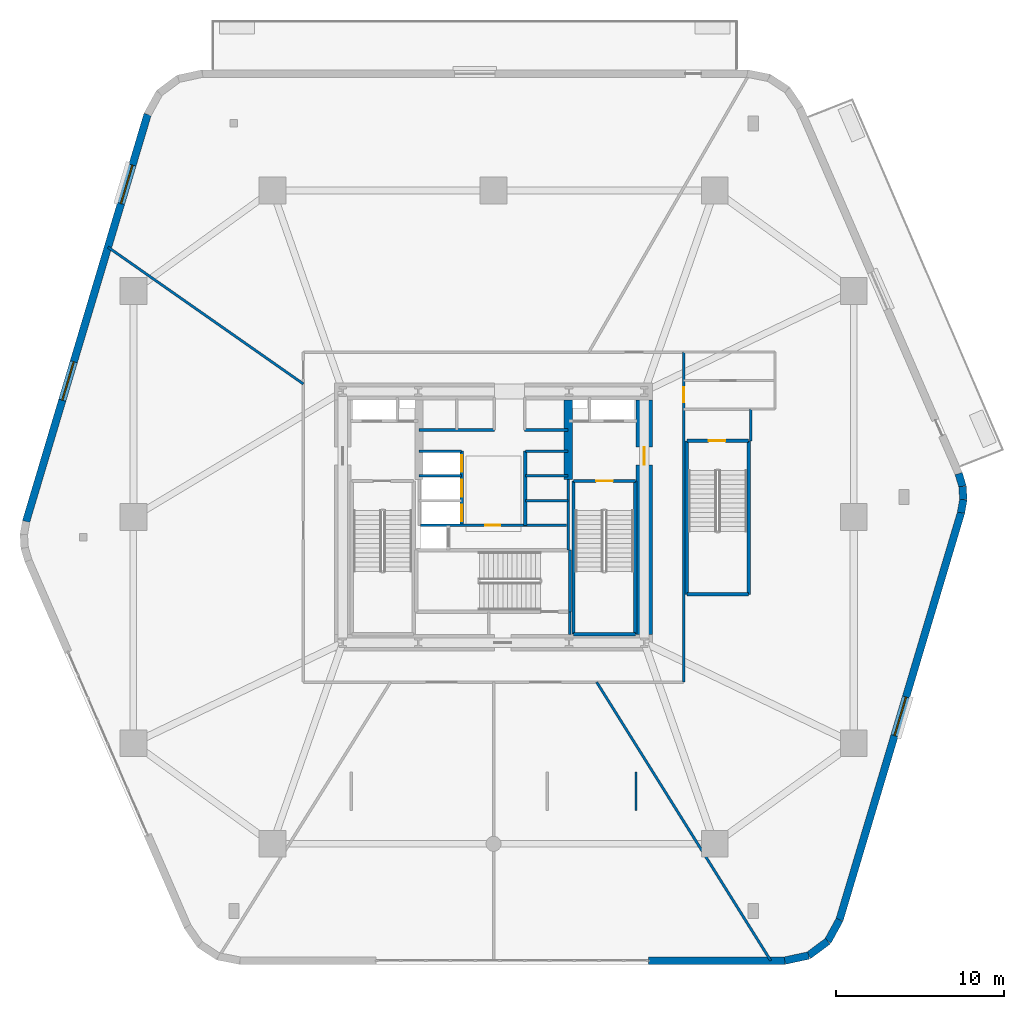
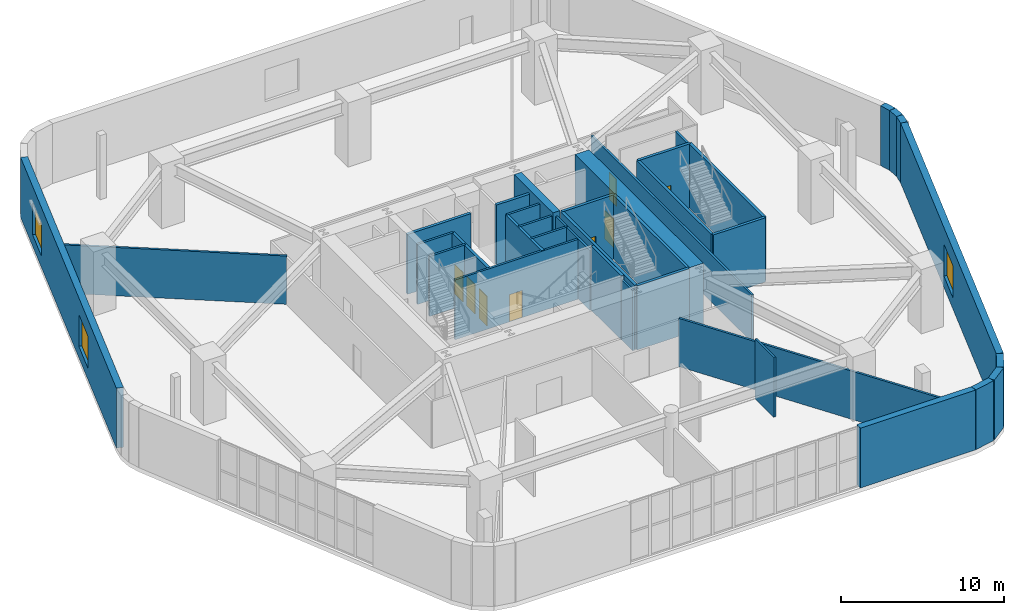
# One storey, part 12 of 17: 37 walls, 8 doors, 3 windows, 11 openings.
"""IFC4 building model written with IfcOpenShell, lengths in metres."""

from ifc_helpers import new_model, si_unit, direction, frame, frame_2d, origin, place, context, subcontext, project, spatial, rectangle, extrude, material, layer, layer_set, type_object, element, fill, save


model = new_model("IFC4")

# Units and contexts
model_context = context("Model", 3, precision=1e-05, world=origin(), true_north=direction((0.0, 1.0)))
body_context = subcontext(model_context, "Body", "Model", "MODEL_VIEW")
ifc_project = project(units=[si_unit("LENGTHUNIT", "METRE"), si_unit("AREAUNIT", "SQUARE_METRE"), si_unit("VOLUMEUNIT", "CUBIC_METRE"), si_unit("PLANEANGLEUNIT", "RADIAN"), si_unit("MASSUNIT", "GRAM", prefix="KILO")], contexts=[model_context])

# Site, building, storey
site_placement = place(None, origin())
site = spatial("IfcSite", under=ifc_project, at=site_placement, CompositionType="ELEMENT")
building_placement = place(site_placement, origin())
building = spatial("IfcBuilding", under=site, at=building_placement, Name="Kilnhurst Terrace Hotel", CompositionType="ELEMENT")
storey_placement = place(building_placement, frame((0.0, 0.0, 18.60009765625)))
storey = spatial("IfcBuildingStorey", under=building, at=storey_placement, Name="L03", CompositionType="ELEMENT", Elevation=18.60009765625)

# Walls
ifc_material_1 = material(Name="Precast concrete C40/50", Category="concrete")
ifc_layer_1 = layer(ifc_material_1, 0.449951171875, Name="Precast concrete C40/50")
ifc_layer_set_1 = layer_set([ifc_layer_1], Name="Precast concrete C40/50")
wall_type_1 = type_object("IfcWallType", Name="WL-BRK-450", PredefinedType="SOLIDWALL", material=ifc_layer_set_1)
wall_1_placement = place(storey_placement, frame((17.385986328125, -26.47509765625, 0.0), z_axis=(0.0, 0.0, 1.0), x_axis=(0.977277895208, 0.211962061551, 0.0)))
element("IfcWall", 1, at=wall_1_placement, inside=storey, type_object=wall_type_1, Name="L03 Rounded Corner Brick Wall C2.1", PredefinedType="SOLIDWALL", context=body_context, shape_type="SweptSolid", body=[
    extrude(rectangle(XDim=1.452392578125, YDim=0.449951171875, at=frame_2d((0.72607421875, 0.0))), origin(), (0.0, 0.0, 1.0), 4.47998046875),
])
wall_2_placement = place(storey_placement, frame((18.805419921875, -26.167236328125, 0.0), z_axis=(0.0, 0.0, 1.0), x_axis=(0.801863548993, 0.597507195603, 0.0)))
element("IfcWall", 2, at=wall_2_placement, inside=storey, type_object=wall_type_1, Name="L03 Rounded Corner Brick Wall C2.2", PredefinedType="SOLIDWALL", context=body_context, shape_type="SweptSolid", body=[
    extrude(rectangle(XDim=1.427734375, YDim=0.449951171875, at=frame_2d((0.7138671875, 0.0))), origin(), (0.0, 0.0, 1.0), 4.47998046875),
])
wall_3_placement = place(storey_placement, frame((19.9501953125, -25.314208984375, 0.0), z_axis=(0.0, 0.0, 1.0), x_axis=(0.482499474814, 0.875896259157, 0.0)))
element("IfcWall", 3, at=wall_3_placement, inside=storey, type_object=wall_type_1, Name="L03 Rounded Corner Brick Wall C2.3", PredefinedType="SOLIDWALL", context=body_context, shape_type="SweptSolid", body=[
    extrude(rectangle(XDim=1.4521484375, YDim=0.449951171875, at=frame_2d((0.72607421875, 0.0))), origin(), (0.0, 0.0, 1.0), 4.47998046875),
])
wall_4_placement = place(storey_placement, frame((27.904541015625, 0.260498046875, 0.0), z_axis=(0.0, 0.0, 1.0), x_axis=(0.17266943956, 0.984979829561, 0.0)))
element("IfcWall", 4, at=wall_4_placement, inside=storey, type_object=wall_type_1, Name="L03 Rounded Corner Brick Wall C3.1", PredefinedType="SOLIDWALL", context=body_context, shape_type="SweptSolid", body=[
    extrude(rectangle(XDim=0.798828125, YDim=0.449951171875, at=frame_2d((0.3994140625, 0.0))), origin(), (0.0, 0.0, 1.0), 4.47998046875),
])
wall_5_placement = place(storey_placement, frame((28.04248046875, 1.04736328125, 0.0), z_axis=(0.0, 0.0, 1.0), x_axis=(-0.059960394052, 0.998200756935, 0.0)))
element("IfcWall", 5, at=wall_5_placement, inside=storey, type_object=wall_type_1, Name="L03 Rounded Corner Brick Wall C3.2", PredefinedType="SOLIDWALL", context=body_context, shape_type="SweptSolid", body=[
    extrude(rectangle(XDim=0.785888671875, YDim=0.449951171875, at=frame_2d((0.39306640625, 0.0))), origin(), (0.0, 0.0, 1.0), 4.47998046875),
])
wall_6_placement = place(storey_placement, frame((27.995361328125, 1.831787109375, 0.0), z_axis=(0.0, 0.0, 1.0), x_axis=(-0.2894220622, 0.957201582694, 0.0)))
element("IfcWall", 6, at=wall_6_placement, inside=storey, type_object=wall_type_1, Name="L03 Rounded Corner Brick Wall C3.3", PredefinedType="SOLIDWALL", context=body_context, shape_type="SweptSolid", body=[
    extrude(rectangle(XDim=0.798828125, YDim=0.449951171875, at=frame_2d((0.3994140625, 0.0))), origin(), (0.0, 0.0, 1.0), 4.47998046875),
])
wall_7_placement = place(storey_placement, frame((9.25341796875, -26.47509765625, 0.0), z_axis=(0.0, 0.0, 1.0), x_axis=(1.0, 0.0, 0.0)))
element("IfcWall", 7, at=wall_7_placement, inside=storey, type_object=wall_type_1, Name="L03 Face 1 End Brick Pier", PredefinedType="SOLIDWALL", context=body_context, shape_type="SweptSolid", body=[
    extrude(rectangle(XDim=8.132568359375, YDim=0.449951171875, at=frame_2d((4.06640625, 0.0))), origin(), (0.0, 0.0, 1.0), 4.47998046875),
])

# Wall, opening, window
wall_8_placement = place(storey_placement, frame((20.65087890625, -24.042236328125, 0.0), z_axis=(0.0, 0.0, 1.0), x_axis=(0.286003469805, 0.958228581947, 0.0)))
wall_8 = element("IfcWall", 8, at=wall_8_placement, inside=storey, type_object=wall_type_1, Name="L03 Exterior Brick Facade Wall F2", PredefinedType="SOLIDWALL", context=body_context, shape_type="SweptSolid", body=[
    extrude(rectangle(XDim=25.362060546875, YDim=0.449951171875, at=frame_2d((12.68115234375, 0.0))), origin(), (0.0, 0.0, 1.0), 4.47998046875),
])
opening_1_placement = place(wall_8_placement, frame((11.48095703125, 0.0, 0.85009765625)))
opening_1 = element("IfcOpeningElement", 9, at=opening_1_placement, cuts=wall_8, Name="Opening W-07", PredefinedType="OPENING", context=body_context, shape_type="SweptSolid", body=[
    extrude(rectangle(XDim=2.39990234375, YDim=2.39990234375, at=frame_2d((1.199951171875, 1.199951171875))), frame((0.0, 0.23486328125, 0.0), z_axis=(0.0, -1.0, 0.0), x_axis=(1.0, 0.0, 0.0)), (0.0, 0.0, 1.0), 0.469970703125),
])
ifc_material_2 = material(Name="Thermally Broken Bronze Aluminium Alloy 6063-T6 and Low-E Glass", Category="aluminium")
window_type = type_object("IfcWindowType", Name="WIN-2400X2400", PartitioningType="SINGLE_PANEL", PredefinedType="WINDOW", material=ifc_material_2)
window_1_placement = place(opening_1_placement, origin())
window_1 = element("IfcWindow", 10, at=window_1_placement, inside=storey, type_object=window_type, Name="L03 Deep-Set Masonry Window F2.1", OverallHeight=2.39990234375, OverallWidth=2.39990234375, PartitioningType="SINGLE_PANEL", PredefinedType="WINDOW", context=body_context, shape_type="SweptSolid", body=[
    extrude(rectangle(XDim=2.39990234375, YDim=2.39990234375, at=frame_2d((1.199951171875, 1.199951171875))), frame((0.0, 0.030029296875, 0.0), z_axis=(0.0, -1.0, 0.0), x_axis=(1.0, 0.0, 0.0)), (0.0, 0.0, 1.0), 0.06005859375),
])
fill(opening_1, window_1)

# Wall, openings, windows
wall_9_placement = place(storey_placement, frame((-20.65087890625, 24.042236328125, 0.0), z_axis=(0.0, 0.0, 1.0), x_axis=(-0.286003469805, -0.958228581947, 0.0)))
wall_9 = element("IfcWall", 11, at=wall_9_placement, inside=storey, type_object=wall_type_1, Name="L03 Exterior Brick Facade Wall F5", PredefinedType="SOLIDWALL", context=body_context, shape_type="SweptSolid", body=[
    extrude(rectangle(XDim=25.362060546875, YDim=0.449951171875, at=frame_2d((12.68115234375, 0.0))), origin(), (0.0, 0.0, 1.0), 4.47998046875),
])
opening_2_placement = place(wall_9_placement, frame((3.156982421875, 0.0, 0.85009765625)))
opening_2 = element("IfcOpeningElement", 12, at=opening_2_placement, cuts=wall_9, Name="Opening W-07", PredefinedType="OPENING", context=body_context, shape_type="SweptSolid", body=[
    extrude(rectangle(XDim=2.39990234375, YDim=2.39990234375, at=frame_2d((1.199951171875, 1.199951171875))), frame((0.0, 0.23486328125, 0.0), z_axis=(0.0, -1.0, 0.0), x_axis=(1.0, 0.0, 0.0)), (0.0, 0.0, 1.0), 0.469970703125),
])
opening_3_placement = place(wall_9_placement, frame((15.406982421875, 0.0, 0.85009765625)))
opening_3 = element("IfcOpeningElement", 13, at=opening_3_placement, cuts=wall_9, Name="Opening W-07", PredefinedType="OPENING", context=body_context, shape_type="SweptSolid", body=[
    extrude(rectangle(XDim=2.39990234375, YDim=2.39990234375, at=frame_2d((1.199951171875, 1.199951171875))), frame((0.0, 0.23486328125, 0.0), z_axis=(0.0, -1.0, 0.0), x_axis=(1.0, 0.0, 0.0)), (0.0, 0.0, 1.0), 0.469970703125),
])
window_2_placement = place(opening_2_placement, origin())
window_2 = element("IfcWindow", 14, at=window_2_placement, inside=storey, type_object=window_type, Name="L03 Deep-Set Masonry Window F5.1", OverallHeight=2.39990234375, OverallWidth=2.39990234375, PartitioningType="SINGLE_PANEL", PredefinedType="WINDOW", context=body_context, shape_type="SweptSolid", body=[
    extrude(rectangle(XDim=2.39990234375, YDim=2.39990234375, at=frame_2d((1.199951171875, 1.199951171875))), frame((0.0, 0.030029296875, 0.0), z_axis=(0.0, -1.0, 0.0), x_axis=(1.0, 0.0, 0.0)), (0.0, 0.0, 1.0), 0.06005859375),
])
fill(opening_2, window_2)
window_3_placement = place(opening_3_placement, origin())
window_3 = element("IfcWindow", 15, at=window_3_placement, inside=storey, type_object=window_type, Name="L03 Deep-Set Masonry Window F5.2", OverallHeight=2.39990234375, OverallWidth=2.39990234375, PartitioningType="SINGLE_PANEL", PredefinedType="WINDOW", context=body_context, shape_type="SweptSolid", body=[
    extrude(rectangle(XDim=2.39990234375, YDim=2.39990234375, at=frame_2d((1.199951171875, 1.199951171875))), frame((0.0, 0.030029296875, 0.0), z_axis=(0.0, -1.0, 0.0), x_axis=(1.0, 0.0, 0.0)), (0.0, 0.0, 1.0), 0.06005859375),
])
fill(opening_3, window_3)

# Wall, opening, door
ifc_material_3 = material(Name="Acoustic Double-Gypsum Corridor Partition Assembly")
ifc_layer_2 = layer(ifc_material_3, 0.14990234375, Name="Acoustic Double-Gypsum Corridor Partition Assembly")
ifc_layer_set_2 = layer_set([ifc_layer_2], Name="Acoustic Double-Gypsum Corridor Partition Assembly")
wall_type_2 = type_object("IfcWallType", Name="WL-COR-150", PredefinedType="PARTITIONING", material=ifc_layer_set_2)
wall_10_placement = place(storey_placement, frame((11.35009765625, 9.85009765625, 0.0), z_axis=(0.0, 0.0, 1.0), x_axis=(0.0, -1.0, 0.0)))
wall_10 = element("IfcWall", 16, at=wall_10_placement, inside=storey, type_object=wall_type_2, Name="L03 Interior Wall WL-L03-COR-03", PredefinedType="PARTITIONING", context=body_context, shape_type="SweptSolid", body=[
    extrude(rectangle(XDim=19.7001953125, YDim=0.14990234375, at=frame_2d((9.85009765625, 0.0))), origin(), (0.0, 0.0, 1.0), 3.521728515625),
])
opening_4_placement = place(wall_10_placement, frame((2.10009765625, 0.0, 0.0)))
opening_4 = element("IfcOpeningElement", 17, at=opening_4_placement, cuts=wall_10, Name="Opening D-09B", PredefinedType="OPENING", context=body_context, shape_type="SweptSolid", body=[
    extrude(rectangle(XDim=0.89990234375, YDim=2.030029296875, at=frame_2d((0.449951171875, 1.01513671875))), frame((0.0, 0.0849609375, 0.0), z_axis=(0.0, -1.0, 0.0), x_axis=(1.0, 0.0, 0.0)), (0.0, 0.0, 1.0), 0.169921875),
])
ifc_material_4 = material(Name="Moisture-Resistant Solid-Core Restroom Door")
door_type_1 = type_object("IfcDoorType", Name="DR-INT-900", OperationType="NOTDEFINED", PredefinedType="DOOR", material=ifc_material_4)
door_1_placement = place(opening_4_placement, origin())
door_1 = element("IfcDoor", 18, at=door_1_placement, inside=storey, type_object=door_type_1, Name="L03 Public Restrooms Door", OperationType="SINGLE_SWING_LEFT", OverallHeight=2.030029296875, OverallWidth=0.89990234375, PredefinedType="DOOR", context=body_context, shape_type="SweptSolid", body=[
    extrude(rectangle(XDim=0.89990234375, YDim=2.030029296875, at=frame_2d((0.449951171875, 1.01513671875))), frame((0.0, 0.02490234375, 0.0), z_axis=(0.0, -1.0, 0.0), x_axis=(1.0, 0.0, 0.0)), (0.0, 0.0, 1.0), 0.050048828125),
])
fill(opening_4, door_1)

# Wall
wall_11_placement = place(storey_placement, frame((15.35009765625, 4.55810546875, 0.0), z_axis=(0.0, 0.0, 1.0), x_axis=(0.0, 1.0, 0.0)))
element("IfcWall", 19, at=wall_11_placement, inside=storey, type_object=wall_type_2, Name="L03 Interior Wall WL-L03-ST4-VEST-E", PredefinedType="PARTITIONING", context=body_context, shape_type="SweptSolid", body=[
    extrude(rectangle(XDim=1.891845703125, YDim=0.14990234375, at=frame_2d((0.94580078125, 0.0))), origin(), (0.0, 0.0, 1.0), 4.47998046875),
])

# Wall, opening, door
ifc_material_5 = material(Name="Concrete C80/95", Category="concrete")
ifc_layer_3 = layer(ifc_material_5, 1.0, Name="Concrete C80/95")
ifc_layer_set_3 = layer_set([ifc_layer_3], Name="Concrete C80/95")
wall_type_3 = type_object("IfcWallType", Name="WL-CORE-1000", PredefinedType="SHEAR", material=ifc_layer_set_3)
wall_12_placement = place(storey_placement, frame((9.0, -7.0, 0.0), z_axis=(0.0, 0.0, 1.0), x_axis=(0.0, 1.0, 0.0)))
wall_12 = element("IfcWall", 20, at=wall_12_placement, inside=storey, type_object=wall_type_3, Name="L03 Core East Shear Wall", PredefinedType="SHEAR", context=body_context, shape_type="SweptSolid", body=[
    extrude(rectangle(XDim=14.0, YDim=1.0, at=frame_2d((7.0, 0.0))), origin(), (0.0, 0.0, 1.0), 4.7998046875),
])
opening_5_placement = place(wall_12_placement, frame((10.125, 0.0, 0.0)))
opening_5 = element("IfcOpeningElement", 21, at=opening_5_placement, cuts=wall_12, Name="Opening D-90A", PredefinedType="OPENING", context=body_context, shape_type="SweptSolid", body=[
    extrude(rectangle(XDim=1.050048828125, YDim=2.14990234375, at=frame_2d((0.52490234375, 1.074951171875))), frame((0.0, 0.510009765625, 0.0), z_axis=(0.0, -1.0, 0.0), x_axis=(1.0, 0.0, 0.0)), (0.0, 0.0, 1.0), 1.02001953125),
])
ifc_material_6 = material(Name="Painted Hollow Metal Steel ASTM A36 Fire Door", Category="steel")
door_type_2 = type_object("IfcDoorType", Name="DR-FD90-1050", OperationType="NOTDEFINED", PredefinedType="DOOR", material=ifc_material_6)
door_2_placement = place(opening_5_placement, origin())
door_2 = element("IfcDoor", 22, at=door_2_placement, inside=storey, type_object=door_type_2, Name="L03 East Firefighting Lobby Door", OperationType="SINGLE_SWING_LEFT", OverallHeight=2.14990234375, OverallWidth=1.050048828125, PredefinedType="DOOR", context=body_context, shape_type="SweptSolid", body=[
    extrude(rectangle(XDim=1.050048828125, YDim=2.14990234375, at=frame_2d((0.52490234375, 1.074951171875))), frame((0.0, 0.02490234375, 0.0), z_axis=(0.0, -1.0, 0.0), x_axis=(1.0, 0.0, 0.0)), (0.0, 0.0, 1.0), 0.050048828125),
])
fill(opening_5, door_2)

# Walls
ifc_material_7 = material(Name="Concrete C60/75", Category="concrete")
ifc_layer_4 = layer(ifc_material_7, 0.5, Name="Concrete C60/75")
ifc_layer_set_4 = layer_set([ifc_layer_4], Name="Concrete C60/75")
wall_type_4 = type_object("IfcWallType", Name="WL-CORE-WEB-500", PredefinedType="SHEAR", material=ifc_layer_set_4)
wall_13_placement = place(storey_placement, frame((4.449951171875, 2.25, 0.0), z_axis=(0.0, 0.0, 1.0), x_axis=(0.0, 1.0, 0.0)))
element("IfcWall", 23, at=wall_13_placement, inside=storey, type_object=wall_type_4, Name="L03 Core Internal East Shear Web", PredefinedType="SHEAR", context=body_context, shape_type="SweptSolid", body=[
    extrude(rectangle(XDim=4.75, YDim=0.5, at=frame_2d((2.375, 0.0))), origin(), (0.0, 0.0, 1.0), 4.7998046875),
])
ifc_material_8 = material(Name="STC-54 Top-Hung Acoustic Operable Ballroom Folding Wall")
ifc_layer_5 = layer(ifc_material_8, 0.139892578125, Name="STC-54 Top-Hung Acoustic Operable Ballroom Folding Wall")
ifc_layer_set_5 = layer_set([ifc_layer_5], Name="STC-54 Top-Hung Acoustic Operable Ballroom Folding Wall")
wall_type_5 = type_object("IfcWallType", Name="WL-MOV-140", PredefinedType="MOVABLE", material=ifc_layer_set_5)
wall_14_placement = place(storey_placement, frame((8.5, -17.5, 0.0), z_axis=(0.0, 0.0, 1.0), x_axis=(0.0, 1.0, 0.0)))
element("IfcWall", 24, at=wall_14_placement, inside=storey, type_object=wall_type_5, Name="L03 Operable Acoustic Ballroom Partition 3", PredefinedType="MOVABLE", context=body_context, shape_type="SweptSolid", body=[
    extrude(rectangle(XDim=2.300048828125, YDim=0.139892578125, at=frame_2d((1.14990234375, 0.0))), origin(), (0.0, 0.0, 1.0), 4.47998046875),
])
ifc_material_9 = material(Name="150 mm Acoustic Gypsum Hospitality Partition")
ifc_layer_6 = layer(ifc_material_9, 0.14990234375, Name="150 mm Acoustic Gypsum Hospitality Partition")
ifc_layer_set_6 = layer_set([ifc_layer_6], Name="150 mm Acoustic Gypsum Hospitality Partition")
wall_type_6 = type_object("IfcWallType", Name="WL-PART-150", PredefinedType="PARTITIONING", material=ifc_layer_set_6)
wall_15_placement = place(storey_placement, frame((6.155029296875, -9.85009765625, 0.0), z_axis=(0.0, 0.0, 1.0), x_axis=(0.529918338238, -0.848048674782, 0.0)))
element("IfcWall", 25, at=wall_15_placement, inside=storey, type_object=wall_type_6, Name="L03 Interior Wall WL-L03-PDIV-3-1", PredefinedType="PARTITIONING", context=body_context, shape_type="SweptSolid", body=[
    extrude(rectangle(XDim=19.603759765625, YDim=0.14990234375, at=frame_2d((9.8017578125, 0.0))), origin(), (0.0, 0.0, 1.0), 3.612060546875),
])
wall_16_placement = place(storey_placement, frame((-11.35009765625, 7.947509765625, 0.0), z_axis=(0.0, 0.0, 1.0), x_axis=(-0.819152990014, 0.573575085713, 0.0)))
element("IfcWall", 26, at=wall_16_placement, inside=storey, type_object=wall_type_6, Name="L03 Interior Wall WL-L03-PDIV-5-1", PredefinedType="PARTITIONING", context=body_context, shape_type="SweptSolid", body=[
    extrude(rectangle(XDim=14.2421875, YDim=0.14990234375, at=frame_2d((7.12109375, 0.0))), origin(), (0.0, 0.0, 1.0), 3.614013671875),
])
ifc_material_10 = material(Name="Fire-Rated Gypsum Shaftliner Assembly")
ifc_layer_7 = layer(ifc_material_10, 0.14990234375, Name="Fire-Rated Gypsum Shaftliner Assembly")
ifc_layer_set_7 = layer_set([ifc_layer_7], Name="Fire-Rated Gypsum Shaftliner Assembly")
wall_type_7 = type_object("IfcWallType", Name="WL-SHAFT-150", PredefinedType="PARTITIONING", material=ifc_layer_set_7)
wall_17_placement = place(storey_placement, frame((4.55810546875, -7.02001953125, 0.0), z_axis=(0.0, 0.0, 1.0), x_axis=(0.0, 1.0, 0.0)))
element("IfcWall", 27, at=wall_17_placement, inside=storey, type_object=wall_type_7, Name="L03 Interior Wall WL-L03-ST3-PSGE", PredefinedType="PARTITIONING", context=body_context, shape_type="SweptSolid", body=[
    extrude(rectangle(XDim=1.362060546875, YDim=0.14990234375, at=frame_2d((0.68115234375, 0.0))), origin(), (0.0, 0.0, 1.0), 4.47998046875),
])
wall_18_placement = place(storey_placement, frame((4.449951171875, -1.971923828125, 0.0), z_axis=(0.0, 0.0, 1.0), x_axis=(0.0, 1.0, 0.0)))
element("IfcWall", 28, at=wall_18_placement, inside=storey, type_object=wall_type_7, Name="L03 Interior Wall WL-L03-XLOB-E", PredefinedType="PARTITIONING", context=body_context, shape_type="SweptSolid", body=[
    extrude(rectangle(XDim=4.221923828125, YDim=0.14990234375, at=frame_2d((2.11083984375, 0.0))), origin(), (0.0, 0.0, 1.0), 4.47998046875),
])
for number, where, z_axis, x_axis, name in (
    (29, (-4.449951171875, 3.93994140625, 0.0), (0.0, 0.0, 1.0), (1.0, 0.0, 0.0), "L03 Interior Wall WL-L03-LR-NORTH"),
    (30, (-4.449951171875, 2.4599609375, 0.0), (0.0, 0.0, 1.0), (1.0, 0.0, 0.0), "L03 Interior Wall WL-L03-LR-D2"),
    (31, (1.89990234375, 3.93994140625, 0.0), (0.0, 0.0, 1.0), (1.0, 0.0, 0.0), "L03 Interior Wall WL-L03-MR-NORTH"),
    (32, (1.89990234375, 0.97998046875, 0.0), (0.0, 0.0, 1.0), (1.0, 0.0, 0.0), "L03 Interior Wall WL-L03-MR-D1"),
    (33, (1.89990234375, 2.4599609375, 0.0), (0.0, 0.0, 1.0), (1.0, 0.0, 0.0), "L03 Interior Wall WL-L03-MR-D2"),
):
    element("IfcWall", number, at=place(storey_placement, frame(where, z_axis=z_axis, x_axis=x_axis)), inside=storey, type_object=wall_type_7, Name=name, PredefinedType="PARTITIONING", context=body_context, shape_type="SweptSolid", body=[
        extrude(rectangle(XDim=2.550048828125, YDim=0.14990234375, at=frame_2d((1.27490234375, 0.0))), origin(), (0.0, 0.0, 1.0), 4.47998046875),
    ])

# Wall, opening, door
wall_19_placement = place(storey_placement, frame((-4.360107421875, -0.489990234375, 0.0), z_axis=(0.0, 0.0, 1.0), x_axis=(1.0, 0.0, 0.0)))
wall_19 = element("IfcWall", 34, at=wall_19_placement, inside=storey, type_object=wall_type_7, Name="L03 Interior Wall WL-L03-BOH-N", PredefinedType="PARTITIONING", context=body_context, shape_type="SweptSolid", body=[
    extrude(rectangle(XDim=8.72021484375, YDim=0.14990234375, at=frame_2d((4.360107421875, 0.0))), origin(), (0.0, 0.0, 1.0), 4.47998046875),
])
opening_6_placement = place(wall_19_placement, frame((3.860107421875, 0.0, 0.0)))
opening_6 = element("IfcOpeningElement", 35, at=opening_6_placement, cuts=wall_19, Name="Opening D-60C", PredefinedType="OPENING", context=body_context, shape_type="SweptSolid", body=[
    extrude(rectangle(XDim=0.89990234375, YDim=2.030029296875, at=frame_2d((0.449951171875, 1.01513671875))), frame((0.0, 0.0849609375, 0.0), z_axis=(0.0, -1.0, 0.0), x_axis=(1.0, 0.0, 0.0)), (0.0, 0.0, 1.0), 0.169921875),
])
ifc_material_11 = material(Name="Painted Solid-Core Service Fire Door")
door_type_3 = type_object("IfcDoorType", Name="DR-FD60-900", OperationType="NOTDEFINED", PredefinedType="DOOR", material=ifc_material_11)
door_3_placement = place(opening_6_placement, origin())
door_3 = element("IfcDoor", 36, at=door_3_placement, inside=storey, type_object=door_type_3, Name="L03 Housekeeping Laundry Door", OperationType="SINGLE_SWING_LEFT", OverallHeight=2.030029296875, OverallWidth=0.89990234375, PredefinedType="DOOR", context=body_context, shape_type="SweptSolid", body=[
    extrude(rectangle(XDim=0.89990234375, YDim=2.030029296875, at=frame_2d((0.449951171875, 1.01513671875))), frame((0.0, 0.02490234375, 0.0), z_axis=(0.0, -1.0, 0.0), x_axis=(1.0, 0.0, 0.0)), (0.0, 0.0, 1.0), 0.050048828125),
])
fill(opening_6, door_3)

# Walls
ifc_material_12 = material(Name="Autoclaved Aerated Concrete C30/37 and Gypsum Shaft Assembly", Category="concrete")
ifc_layer_8 = layer(ifc_material_12, 0.199951171875, Name="Autoclaved Aerated Concrete C30/37 and Gypsum Shaft Assembly")
ifc_layer_set_8 = layer_set([ifc_layer_8], Name="Autoclaved Aerated Concrete C30/37 and Gypsum Shaft Assembly")
wall_type_8 = type_object("IfcWallType", Name="WL-SHAFT-200", PredefinedType="PARTITIONING", material=ifc_layer_set_8)
wall_20_placement = place(storey_placement, frame((-4.449951171875, 5.199951171875, 0.0), z_axis=(0.0, 0.0, 1.0), x_axis=(1.0, 0.0, 0.0)))
element("IfcWall", 37, at=wall_20_placement, inside=storey, type_object=wall_type_8, Name="L03 Interior Wall WL-L03-HR-SW", PredefinedType="PARTITIONING", context=body_context, shape_type="SweptSolid", body=[
    extrude(rectangle(XDim=4.5, YDim=0.199951171875, at=frame_2d((2.25, 0.0))), origin(), (0.0, 0.0, 1.0), 4.47998046875),
])
wall_21_placement = place(storey_placement, frame((1.85009765625, 5.199951171875, 0.0), z_axis=(0.0, 0.0, 1.0), x_axis=(1.0, 0.0, 0.0)))
element("IfcWall", 38, at=wall_21_placement, inside=storey, type_object=wall_type_8, Name="L03 Interior Wall WL-L03-HR-SE", PredefinedType="PARTITIONING", context=body_context, shape_type="SweptSolid", body=[
    extrude(rectangle(XDim=2.599853515625, YDim=0.199951171875, at=frame_2d((1.2998046875, 0.0))), origin(), (0.0, 0.0, 1.0), 4.47998046875),
])

# Wall, openings, doors
wall_22_placement = place(storey_placement, frame((-1.89990234375, -0.5, 0.0), z_axis=(0.0, 0.0, 1.0), x_axis=(0.0, 1.0, 0.0)))
wall_22 = element("IfcWall", 39, at=wall_22_placement, inside=storey, type_object=wall_type_8, Name="L03 Interior Wall WL-L03-LR-FRONT", PredefinedType="PARTITIONING", context=body_context, shape_type="SweptSolid", body=[
    extrude(rectangle(XDim=4.43994140625, YDim=0.199951171875, at=frame_2d((2.219970703125, 0.0))), origin(), (0.0, 0.0, 1.0), 4.47998046875),
])
opening_7_placement = place(wall_22_placement, frame((0.239990234375, 0.0, 0.0)))
opening_7 = element("IfcOpeningElement", 40, at=opening_7_placement, cuts=wall_22, Name="Opening LD-LR", PredefinedType="OPENING", context=body_context, shape_type="SweptSolid", body=[
    extrude(rectangle(XDim=1.0, YDim=2.199951171875, at=frame_2d((0.5, 1.10009765625))), frame((0.0, 0.10986328125, 0.0), z_axis=(0.0, -1.0, 0.0), x_axis=(1.0, 0.0, 0.0)), (0.0, 0.0, 1.0), 0.219970703125),
])
opening_8_placement = place(wall_22_placement, frame((1.719970703125, 0.0, 0.0)))
opening_8 = element("IfcOpeningElement", 41, at=opening_8_placement, cuts=wall_22, Name="Opening LD-LR", PredefinedType="OPENING", context=body_context, shape_type="SweptSolid", body=[
    extrude(rectangle(XDim=1.0, YDim=2.199951171875, at=frame_2d((0.5, 1.10009765625))), frame((0.0, 0.10986328125, 0.0), z_axis=(0.0, -1.0, 0.0), x_axis=(1.0, 0.0, 0.0)), (0.0, 0.0, 1.0), 0.219970703125),
])
opening_9_placement = place(wall_22_placement, frame((3.199951171875, 0.0, 0.0)))
opening_9 = element("IfcOpeningElement", 42, at=opening_9_placement, cuts=wall_22, Name="Opening LD-LR", PredefinedType="OPENING", context=body_context, shape_type="SweptSolid", body=[
    extrude(rectangle(XDim=1.0, YDim=2.199951171875, at=frame_2d((0.5, 1.10009765625))), frame((0.0, 0.10986328125, 0.0), z_axis=(0.0, -1.0, 0.0), x_axis=(1.0, 0.0, 0.0)), (0.0, 0.0, 1.0), 0.219970703125),
])
ifc_material_13 = material(Name="Bronze-Anodized Stainless Steel AISI 316L Sliding Door", Category="steel")
door_type_4 = type_object("IfcDoorType", Name="DR-LIFT-1000", OperationType="NOTDEFINED", PredefinedType="DOOR", material=ifc_material_13)
door_4_placement = place(opening_7_placement, origin())
door_4 = element("IfcDoor", 43, at=door_4_placement, inside=storey, type_object=door_type_4, Name="L03 Low Rise Lift LR-1 Landing Door", OperationType="SLIDING_TO_LEFT", OverallHeight=2.199951171875, OverallWidth=1.0, PredefinedType="DOOR", context=body_context, shape_type="SweptSolid", body=[
    extrude(rectangle(XDim=1.0, YDim=2.199951171875, at=frame_2d((0.5, 1.10009765625))), frame((0.0, 0.02490234375, 0.0), z_axis=(0.0, -1.0, 0.0), x_axis=(1.0, 0.0, 0.0)), (0.0, 0.0, 1.0), 0.050048828125),
])
fill(opening_7, door_4)
door_5_placement = place(opening_8_placement, origin())
door_5 = element("IfcDoor", 44, at=door_5_placement, inside=storey, type_object=door_type_4, Name="L03 Low Rise Lift LR-2 Landing Door", OperationType="SLIDING_TO_LEFT", OverallHeight=2.199951171875, OverallWidth=1.0, PredefinedType="DOOR", context=body_context, shape_type="SweptSolid", body=[
    extrude(rectangle(XDim=1.0, YDim=2.199951171875, at=frame_2d((0.5, 1.10009765625))), frame((0.0, 0.02490234375, 0.0), z_axis=(0.0, -1.0, 0.0), x_axis=(1.0, 0.0, 0.0)), (0.0, 0.0, 1.0), 0.050048828125),
])
fill(opening_8, door_5)
door_6_placement = place(opening_9_placement, origin())
door_6 = element("IfcDoor", 45, at=door_6_placement, inside=storey, type_object=door_type_4, Name="L03 Low Rise Lift LR-3 Landing Door", OperationType="SLIDING_TO_LEFT", OverallHeight=2.199951171875, OverallWidth=1.0, PredefinedType="DOOR", context=body_context, shape_type="SweptSolid", body=[
    extrude(rectangle(XDim=1.0, YDim=2.199951171875, at=frame_2d((0.5, 1.10009765625))), frame((0.0, 0.02490234375, 0.0), z_axis=(0.0, -1.0, 0.0), x_axis=(1.0, 0.0, 0.0)), (0.0, 0.0, 1.0), 0.050048828125),
])
fill(opening_9, door_6)

# Walls
wall_23_placement = place(storey_placement, frame((1.89990234375, -0.5, 0.0), z_axis=(0.0, 0.0, 1.0), x_axis=(0.0, 1.0, 0.0)))
element("IfcWall", 46, at=wall_23_placement, inside=storey, type_object=wall_type_8, Name="L03 Interior Wall WL-L03-MR-FRONT", PredefinedType="PARTITIONING", context=body_context, shape_type="SweptSolid", body=[
    extrude(rectangle(XDim=4.43994140625, YDim=0.199951171875, at=frame_2d((2.219970703125, 0.0))), origin(), (0.0, 0.0, 1.0), 4.47998046875),
])
ifc_material_14 = material(Name="Concrete C50/60", Category="concrete")
ifc_layer_9 = layer(ifc_material_14, 0.199951171875, Name="Concrete C50/60")
ifc_layer_set_9 = layer_set([ifc_layer_9], Name="Concrete C50/60")
wall_type_9 = type_object("IfcWallType", Name="WL-STAIR-RC-200", PredefinedType="SHEAR", material=ifc_layer_set_9)
for number, where, z_axis, x_axis, name in (
    (47, (4.77197265625, -6.985107421875, 0.0), (0.0, 0.0, 1.0), (0.0, 1.0, 0.0), "L03 Structural Stair Shaft Wall WL-L03-ST2-W"),
    (48, (8.4580078125, -6.985107421875, 0.0), (0.0, 0.0, 1.0), (0.0, 1.0, 0.0), "L03 Structural Stair Shaft Wall WL-L03-ST2-E"),
):
    element("IfcWall", number, at=place(storey_placement, frame(where, z_axis=z_axis, x_axis=x_axis)), inside=storey, type_object=wall_type_9, Name=name, PredefinedType="SHEAR", context=body_context, shape_type="SweptSolid", body=[
        extrude(rectangle(XDim=9.14306640625, YDim=0.199951171875, at=frame_2d((4.571533203125, 0.0))), origin(), (0.0, 0.0, 1.0), 4.7998046875),
    ])
wall_24_placement = place(storey_placement, frame((4.77197265625, -6.985107421875, 0.0), z_axis=(0.0, 0.0, 1.0), x_axis=(1.0, 0.0, 0.0)))
element("IfcWall", 49, at=wall_24_placement, inside=storey, type_object=wall_type_9, Name="L03 Structural Stair Shaft Wall WL-L03-ST2-S", PredefinedType="SHEAR", context=body_context, shape_type="SweptSolid", body=[
    extrude(rectangle(XDim=3.68603515625, YDim=0.199951171875, at=frame_2d((1.843017578125, 0.0))), origin(), (0.0, 0.0, 1.0), 4.7998046875),
])

# Wall, opening, door
wall_25_placement = place(storey_placement, frame((4.77197265625, 2.157958984375, 0.0), z_axis=(0.0, 0.0, 1.0), x_axis=(1.0, 0.0, 0.0)))
wall_25 = element("IfcWall", 50, at=wall_25_placement, inside=storey, type_object=wall_type_9, Name="L03 Structural Stair Shaft Wall WL-L03-ST2-N", PredefinedType="SHEAR", context=body_context, shape_type="SweptSolid", body=[
    extrude(rectangle(XDim=3.68603515625, YDim=0.199951171875, at=frame_2d((1.843017578125, 0.0))), origin(), (0.0, 0.0, 1.0), 4.7998046875),
])
opening_10_placement = place(wall_25_placement, frame((1.35009765625, 0.0, 0.0)))
opening_10 = element("IfcOpeningElement", 51, at=opening_10_placement, cuts=wall_25, Name="Opening D-90B", PredefinedType="OPENING", context=body_context, shape_type="SweptSolid", body=[
    extrude(rectangle(XDim=1.0, YDim=2.14990234375, at=frame_2d((0.5, 1.074951171875))), frame((0.0, 0.10986328125, 0.0), z_axis=(0.0, -1.0, 0.0), x_axis=(1.0, 0.0, 0.0)), (0.0, 0.0, 1.0), 0.219970703125),
])
door_type_5 = type_object("IfcDoorType", Name="DR-FD90-1000", OperationType="NOTDEFINED", PredefinedType="DOOR", material=ifc_material_6)
door_7_placement = place(opening_10_placement, origin())
door_7 = element("IfcDoor", 52, at=door_7_placement, inside=storey, type_object=door_type_5, Name="L03 Stair ST-2 Door", OperationType="SINGLE_SWING_RIGHT", OverallHeight=2.14990234375, OverallWidth=1.0, PredefinedType="DOOR", context=body_context, shape_type="SweptSolid", body=[
    extrude(rectangle(XDim=1.0, YDim=2.14990234375, at=frame_2d((0.5, 1.074951171875))), frame((0.0, 0.02490234375, 0.0), z_axis=(0.0, -1.0, 0.0), x_axis=(1.0, 0.0, 0.0)), (0.0, 0.0, 1.0), 0.050048828125),
])
fill(opening_10, door_7)

# Walls
wall_26_placement = place(storey_placement, frame((4.55810546875, -5.657958984375, 0.0), z_axis=(0.0, 0.0, 1.0), x_axis=(0.0, 1.0, 0.0)))
element("IfcWall", 53, at=wall_26_placement, inside=storey, type_object=wall_type_9, Name="L03 Structural Stair Shaft Wall WL-L03-ST3-E", PredefinedType="SHEAR", context=body_context, shape_type="SweptSolid", body=[
    extrude(rectangle(XDim=3.68603515625, YDim=0.199951171875, at=frame_2d((1.843017578125, 0.0))), origin(), (0.0, 0.0, 1.0), 4.7998046875),
])
for number, where, z_axis, x_axis, name in (
    (54, (11.5419921875, -4.60791015625, 0.0), (0.0, 0.0, 1.0), (0.0, 1.0, 0.0), "L03 Podium Stair ST-4 Structural Shaft Wall WL-L03-ST4-W"),
    (55, (15.22802734375, -4.60791015625, 0.0), (0.0, 0.0, 1.0), (0.0, 1.0, 0.0), "L03 Podium Stair ST-4 Structural Shaft Wall WL-L03-ST4-E"),
):
    element("IfcWall", number, at=place(storey_placement, frame(where, z_axis=z_axis, x_axis=x_axis)), inside=storey, type_object=wall_type_9, Name=name, PredefinedType="SHEAR", context=body_context, shape_type="SweptSolid", body=[
        extrude(rectangle(XDim=9.166015625, YDim=0.199951171875, at=frame_2d((4.5830078125, 0.0))), origin(), (0.0, 0.0, 1.0), 4.7998046875),
    ])
wall_27_placement = place(storey_placement, frame((11.5419921875, -4.60791015625, 0.0), z_axis=(0.0, 0.0, 1.0), x_axis=(1.0, 0.0, 0.0)))
element("IfcWall", 56, at=wall_27_placement, inside=storey, type_object=wall_type_9, Name="L03 Podium Stair ST-4 Structural Shaft Wall WL-L03-ST4-S", PredefinedType="SHEAR", context=body_context, shape_type="SweptSolid", body=[
    extrude(rectangle(XDim=3.68603515625, YDim=0.199951171875, at=frame_2d((1.843017578125, 0.0))), origin(), (0.0, 0.0, 1.0), 4.7998046875),
])

# Wall, opening, door
wall_28_placement = place(storey_placement, frame((11.5419921875, 4.55810546875, 0.0), z_axis=(0.0, 0.0, 1.0), x_axis=(1.0, 0.0, 0.0)))
wall_28 = element("IfcWall", 57, at=wall_28_placement, inside=storey, type_object=wall_type_9, Name="L03 Podium Stair ST-4 Structural Shaft Wall WL-L03-ST4-N", PredefinedType="SHEAR", context=body_context, shape_type="SweptSolid", body=[
    extrude(rectangle(XDim=3.68603515625, YDim=0.199951171875, at=frame_2d((1.843017578125, 0.0))), origin(), (0.0, 0.0, 1.0), 4.7998046875),
])
opening_11_placement = place(wall_28_placement, frame((1.300048828125, 0.0, 0.0)))
opening_11 = element("IfcOpeningElement", 58, at=opening_11_placement, cuts=wall_28, Name="Opening D-90B", PredefinedType="OPENING", context=body_context, shape_type="SweptSolid", body=[
    extrude(rectangle(XDim=1.0, YDim=2.14990234375, at=frame_2d((0.5, 1.074951171875))), frame((0.0, 0.10986328125, 0.0), z_axis=(0.0, -1.0, 0.0), x_axis=(1.0, 0.0, 0.0)), (0.0, 0.0, 1.0), 0.219970703125),
])
door_8_placement = place(opening_11_placement, origin())
door_8 = element("IfcDoor", 59, at=door_8_placement, inside=storey, type_object=door_type_5, Name="L03 Stair ST-4 Door", OperationType="SINGLE_SWING_RIGHT", OverallHeight=2.14990234375, OverallWidth=1.0, PredefinedType="DOOR", context=body_context, shape_type="SweptSolid", body=[
    extrude(rectangle(XDim=1.0, YDim=2.14990234375, at=frame_2d((0.5, 1.074951171875))), frame((0.0, 0.02490234375, 0.0), z_axis=(0.0, -1.0, 0.0), x_axis=(1.0, 0.0, 0.0)), (0.0, 0.0, 1.0), 0.050048828125),
])
fill(opening_11, door_8)

save(model, "model.ifc")
